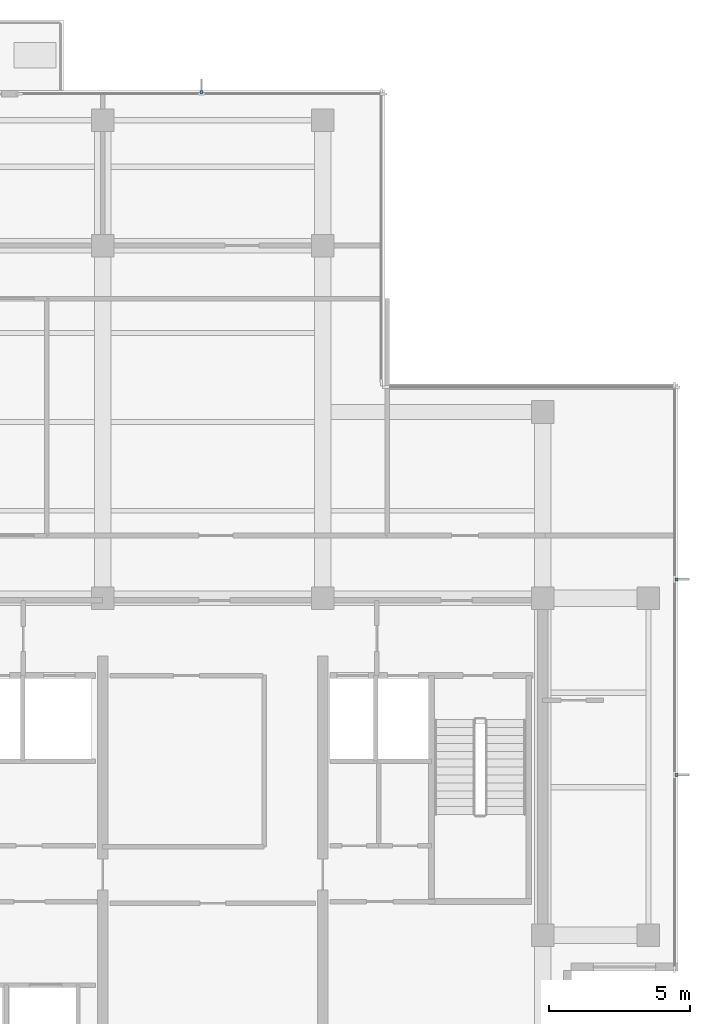
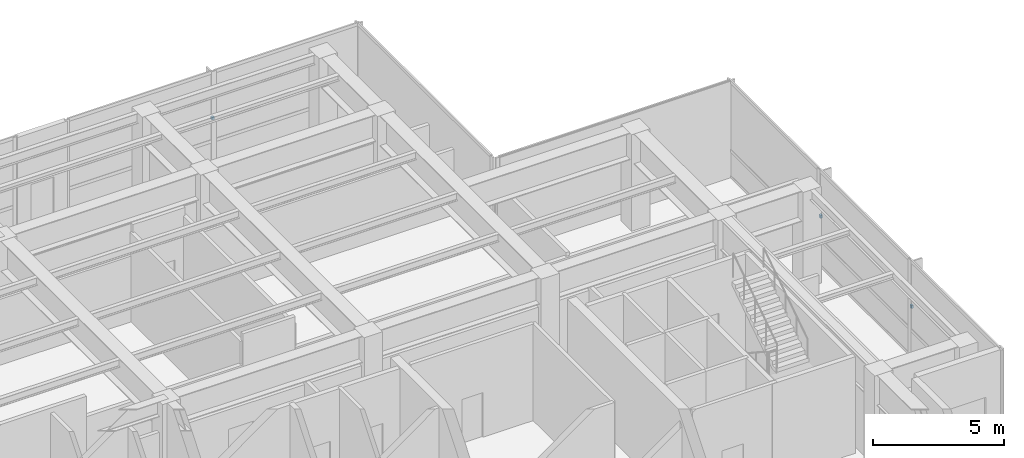
# One storey, part 10 of 11: 3 discrete accessories.
"""IFC4 building model written with IfcOpenShell, lengths in metres."""

from ifc_helpers import new_model, si_unit, direction, frame, origin, place, context, subcontext, project, spatial, polyline, outline, extrude, material, type_object, element, save


model = new_model("IFC4")

# Units and contexts
model_context = context("Model", 3, precision=1e-05, world=origin(), true_north=direction((0.0, 1.0)))
body_context = subcontext(model_context, "Body", "Model", "MODEL_VIEW")
ifc_project = project(units=[si_unit("LENGTHUNIT", "METRE"), si_unit("AREAUNIT", "SQUARE_METRE"), si_unit("VOLUMEUNIT", "CUBIC_METRE"), si_unit("PLANEANGLEUNIT", "RADIAN"), si_unit("MASSUNIT", "GRAM", prefix="KILO")], contexts=[model_context])

# Site, building, storey
site_placement = place(None, origin())
site = spatial("IfcSite", under=ifc_project, at=site_placement, CompositionType="ELEMENT")
building_placement = place(site_placement, origin())
building = spatial("IfcBuilding", under=site, at=building_placement, Name="Qalmaran Belvedere Hotel", CompositionType="ELEMENT")
storey_placement = place(building_placement, frame((0.0, 0.0, 293.89990234375)))
storey = spatial("IfcBuildingStorey", under=building, at=storey_placement, Name="L76", CompositionType="ELEMENT", Elevation=293.89990234375)

# Discrete accessories
ifc_material = material(Name="Stainless Steel 1.4401", Category="steel")
discrete_accessory_type = type_object("IfcDiscreteAccessoryType", Name="BRK-FIN-SS316", PredefinedType="BRACKET", material=ifc_material)
discrete_accessory_1_placement = place(storey_placement, frame((0.0, 0.0, 2.2001953125)))
element("IfcDiscreteAccessory", 1, at=discrete_accessory_1_placement, inside=storey, type_object=discrete_accessory_type, Name="L76 Fin Bracket 1", PredefinedType="BRACKET", context=body_context, shape_type="SweptSolid", body=[
    extrude(outline(polyline([(49.4951171875, 14.17822265625), (49.592529296875, 14.17822265625), (49.592529296875, 14.288330078125), (49.4951171875, 14.288330078125), (49.4951171875, 14.17822265625)])), origin(), (0.0, 0.0, 1.0), 0.139892578125),
])
discrete_accessory_2_placement = place(storey_placement, frame((0.0, 0.0, 2.2001953125)))
element("IfcDiscreteAccessory", 2, at=discrete_accessory_2_placement, inside=storey, type_object=discrete_accessory_type, Name="L76 Fin Bracket 2", PredefinedType="BRACKET", context=body_context, shape_type="SweptSolid", body=[
    extrude(outline(polyline([(49.4951171875, 21.11181640625), (49.592529296875, 21.11181640625), (49.592529296875, 21.2216796875), (49.4951171875, 21.2216796875), (49.4951171875, 21.11181640625)])), origin(), (0.0, 0.0, 1.0), 0.139892578125),
])
discrete_accessory_3_placement = place(storey_placement, frame((0.0, 0.0, 2.2001953125)))
element("IfcDiscreteAccessory", 3, at=discrete_accessory_3_placement, inside=storey, type_object=discrete_accessory_type, Name="L76 Fin Bracket 1", PredefinedType="BRACKET", context=body_context, shape_type="SweptSolid", body=[
    extrude(outline(polyline([(32.7548828125, 38.39501953125), (32.7548828125, 38.492431640625), (32.64501953125, 38.492431640625), (32.64501953125, 38.39501953125), (32.7548828125, 38.39501953125)])), origin(), (0.0, 0.0, 1.0), 0.139892578125),
])

save(model, "model.ifc")
